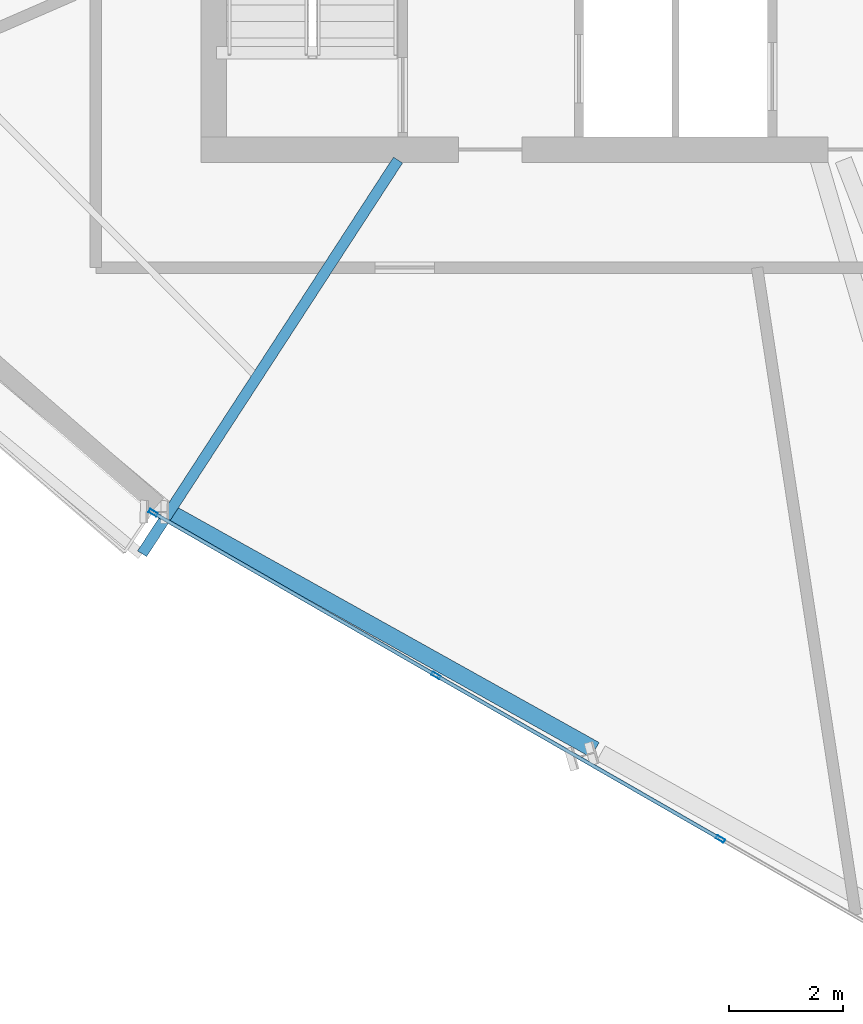
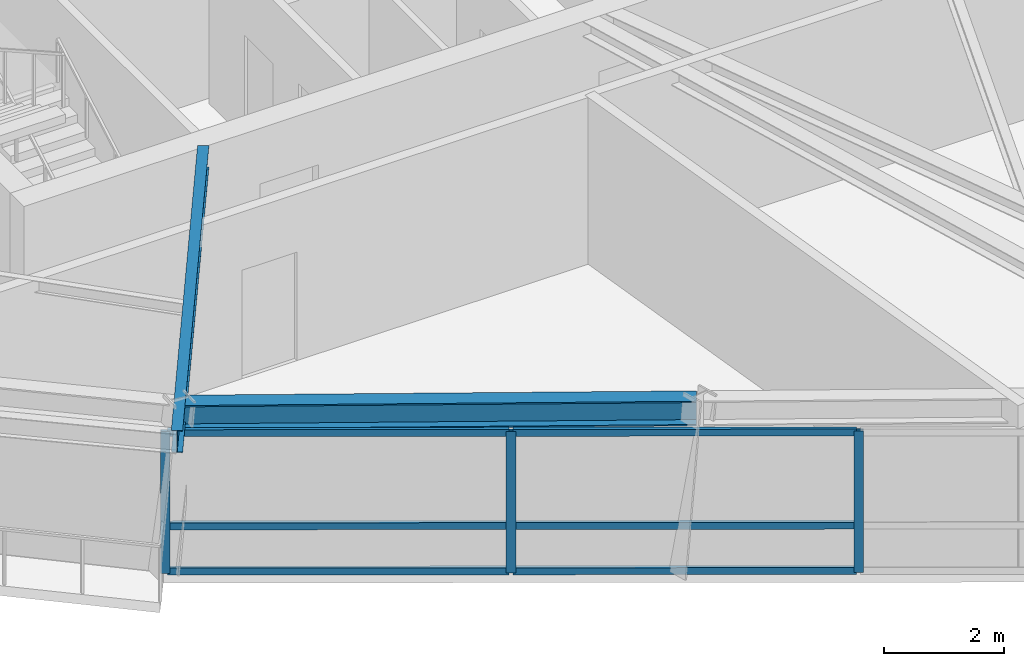
# One storey, part 2 of 13: 9 members, 2 beams, 1 element without a shape of its own.
"""IFC4 building model written with IfcOpenShell, lengths in metres."""

from ifc_helpers import new_model, si_unit, direction, frame, origin, origin_2d, place, context, subcontext, project, spatial, hollow_rectangle, i_section, extrude, source, transform, mapped, material, material_profile, profile_set, type_object, element, aggregate, save


model = new_model("IFC4")

# Units and contexts
model_context = context("Model", 3, precision=1e-05, world=origin(), true_north=direction((0.0, 1.0)))
body_context = subcontext(model_context, "Body", "Model", "MODEL_VIEW")
ifc_project = project(units=[si_unit("LENGTHUNIT", "METRE"), si_unit("AREAUNIT", "SQUARE_METRE"), si_unit("VOLUMEUNIT", "CUBIC_METRE"), si_unit("PLANEANGLEUNIT", "RADIAN"), si_unit("MASSUNIT", "GRAM", prefix="KILO")], contexts=[model_context])

# Site, building, storey
site_placement = place(None, origin())
site = spatial("IfcSite", under=ifc_project, at=site_placement, CompositionType="ELEMENT")
building_placement = place(site_placement, origin())
building = spatial("IfcBuilding", under=site, at=building_placement, Name="Olszyna Solenne Hotel", CompositionType="ELEMENT")
storey_placement = place(building_placement, frame((0.0, 0.0, 263.300048828125)))
storey = spatial("IfcBuildingStorey", under=building, at=storey_placement, Name="L70", CompositionType="ELEMENT", Elevation=263.300048828125)

# Beams
ifc_material_1 = material(Name="Steel S355J2", Category="steel")
ifc_material_profile_1 = material_profile(ifc_material_1, i_section(OverallWidth=0.300048828125, OverallDepth=0.5, WebThickness=0.014404296875, FlangeThickness=0.028076171875, at=origin_2d()), Name="HEB 500", Category="load-bearing")
ifc_profile_set_1 = profile_set([ifc_material_profile_1], Name="Steel S355J2")
beam_type_1 = type_object("IfcBeamType", Name="BM-S3", PredefinedType="BEAM", material=ifc_profile_set_1)
shared_shape_1 = source(origin(), body_context, "Body", "SweptSolid", [
    extrude(i_section(OverallWidth=0.300048828125, OverallDepth=0.5, WebThickness=0.014404296875, FlangeThickness=0.028076171875, at=origin_2d()), origin(), (0.0, 0.0, 1.0), 8.523681640625),
])
beam_1_placement = place(storey_placement, frame((29.13818359375, 12.86767578125, 3.1298828125), z_axis=(0.873265444426, -0.487244767618, 0.0), x_axis=(0.487244767618, 0.873265444426, 0.0)))
element("IfcBeam", 1, at=beam_1_placement, inside=storey, type_object=beam_type_1, Name="Perimeter spandrel beam BM-S3 B-L70-2060", PredefinedType="BEAM", context=body_context, shape_type="MappedRepresentation", body=[
    mapped(shared_shape_1, transform((0.0, 0.0, 0.0), x_axis=(1.0, 0.0, 0.0), y_axis=(0.0, 1.0, 0.0), z_axis=(0.0, 0.0, 1.0), scale=1.0)),
])
ifc_material_profile_2 = material_profile(ifc_material_1, i_section(OverallWidth=0.18994140625, OverallDepth=0.449951171875, WebThickness=0.009521484375, FlangeThickness=0.0146484375, at=origin_2d()), Name="IPE 450", Category="load-bearing")
ifc_profile_set_2 = profile_set([ifc_material_profile_2], Name="Steel S355J2")
beam_type_2 = type_object("IfcBeamType", Name="BM-F4", PredefinedType="BEAM", material=ifc_profile_set_2)
shared_shape_2 = source(origin(), body_context, "Body", "SweptSolid", [
    extrude(i_section(OverallWidth=0.18994140625, OverallDepth=0.449951171875, WebThickness=0.009521484375, FlangeThickness=0.0146484375, at=origin_2d()), origin(), (0.0, 0.0, 1.0), 8.260986328125),
])
beam_2_placement = place(storey_placement, frame((28.61328125, 12.165771484375, 3.155029296875), z_axis=(0.545053792369, 0.838401075515, 0.0), x_axis=(-0.838401075515, 0.545053792369, 0.0)))
element("IfcBeam", 2, at=beam_2_placement, inside=storey, type_object=beam_type_2, Name="Radial floor girder BM-F4 B-L70-2071", PredefinedType="BEAM", context=body_context, shape_type="MappedRepresentation", body=[
    mapped(shared_shape_2, transform((0.0, 0.0, 0.0), x_axis=(1.0, 0.0, 0.0), y_axis=(0.0, 1.0, 0.0), z_axis=(0.0, 0.0, 1.0), scale=1.0)),
])

# Curtain wall, members
ifc_material_2 = material(Name="Anodised bronze aluminium", Category="aluminium")
curtain_wall_type = type_object("IfcCurtainWallType", Name="CW-SYS-4", PredefinedType="NOTDEFINED", material=ifc_material_2)
curtain_wall_placement = place(storey_placement, origin())
curtain_wall = element("IfcCurtainWall", 3, at=curtain_wall_placement, inside=storey, type_object=curtain_wall_type, Name="Unitised curtain wall CW-SYS-4 CW-L70-01", PredefinedType="NOTDEFINED")
ifc_material_profile_3 = material_profile(ifc_material_2, hollow_rectangle(XDim=0.06494140625, YDim=0.159912109375, WallThickness=0.00390625, at=origin_2d()), Name="MULL 160x65x4", Category="load-bearing")
ifc_profile_set_3 = profile_set([ifc_material_profile_3], Name="Anodised bronze aluminium")
member_type_1 = type_object("IfcMemberType", Name="CW-M3", PredefinedType="MULLION", material=ifc_profile_set_3)
shared_shape_3 = source(origin(), body_context, "Body", "SweptSolid", [
    extrude(hollow_rectangle(XDim=0.06494140625, YDim=0.159912109375, WallThickness=0.00390625, at=origin_2d()), origin(), (0.0, 0.0, 1.0), 2.8720703125),
])
member_1_placement = place(storey_placement, frame((28.807861328125, 12.887451171875, 0.0), z_axis=(0.0, 0.0, 1.0), x_axis=(0.498512566759, 0.866882472301, 0.0)))
member_1 = element("IfcMember", 4, at=member_1_placement, type_object=member_type_1, Name="Curtain-wall mullion CW-M3 CM-L70-01-01", PredefinedType="MULLION", context=body_context, shape_type="MappedRepresentation", body=[
    mapped(shared_shape_3, transform((0.0, 0.0, 0.0), x_axis=(1.0, 0.0, 0.0), y_axis=(0.0, 1.0, 0.0), z_axis=(0.0, 0.0, 1.0), scale=1.0)),
])
member_2_placement = place(storey_placement, frame((33.783935546875, 10.02587890625, 0.0), z_axis=(0.0, 0.0, 1.0), x_axis=(0.498512566759, 0.866882472301, 0.0)))
member_2 = element("IfcMember", 5, at=member_2_placement, type_object=member_type_1, Name="Curtain-wall mullion CW-M3 CM-L70-01-02", PredefinedType="MULLION", context=body_context, shape_type="MappedRepresentation", body=[
    mapped(shared_shape_3, transform((0.0, 0.0, 0.0), x_axis=(1.0, 0.0, 0.0), y_axis=(0.0, 1.0, 0.0), z_axis=(0.0, 0.0, 1.0), scale=1.0)),
])
member_3_placement = place(storey_placement, frame((38.7880859375, 7.148193359375, 0.0), z_axis=(0.0, 0.0, 1.0), x_axis=(0.498512566759, 0.866882472301, 0.0)))
member_3 = element("IfcMember", 6, at=member_3_placement, type_object=member_type_1, Name="Curtain-wall mullion CW-M3 CM-L70-01-03", PredefinedType="MULLION", context=body_context, shape_type="MappedRepresentation", body=[
    mapped(shared_shape_3, transform((0.0, 0.0, 0.0), x_axis=(1.0, 0.0, 0.0), y_axis=(0.0, 1.0, 0.0), z_axis=(0.0, 0.0, 1.0), scale=1.0)),
])
ifc_material_profile_4 = material_profile(ifc_material_2, hollow_rectangle(XDim=0.06494140625, YDim=0.139892578125, WallThickness=0.00390625, at=origin_2d()), Name="TRAN 140x65x4", Category="load-bearing")
ifc_profile_set_4 = profile_set([ifc_material_profile_4], Name="Anodised bronze aluminium")
member_type_2 = type_object("IfcMemberType", Name="CW-T2", PredefinedType="USERDEFINED", material=ifc_profile_set_4)
shared_shape_4 = source(origin(), body_context, "Body", "SweptSolid", [
    extrude(hollow_rectangle(XDim=0.06494140625, YDim=0.139892578125, WallThickness=0.00390625, at=origin_2d()), origin(), (0.0, 0.0, 1.0), 5.675048828125),
])
member_4_placement = place(storey_placement, frame((28.836181640625, 12.871337890625, 0.032470703125), z_axis=(0.866884459106, -0.498509111812, 0.0), x_axis=(0.498509111812, 0.866884459106, 0.0)))
member_4 = element("IfcMember", 7, at=member_4_placement, type_object=member_type_2, Name="Curtain-wall transom CW-T2 CT-L70-01-01", ObjectType="TRANSOM", PredefinedType="USERDEFINED", context=body_context, shape_type="MappedRepresentation", body=[
    mapped(shared_shape_4, transform((0.0, 0.0, 0.0), x_axis=(1.0, 0.0, 0.0), y_axis=(0.0, 1.0, 0.0), z_axis=(0.0, 0.0, 1.0), scale=1.0)),
])
member_5_placement = place(storey_placement, frame((28.836181640625, 12.871337890625, 0.949951171875), z_axis=(0.866884459106, -0.498509111812, 0.0), x_axis=(0.498509111812, 0.866884459106, 0.0)))
member_5 = element("IfcMember", 8, at=member_5_placement, type_object=member_type_2, Name="Curtain-wall transom CW-T2 CT-L70-01-02", ObjectType="TRANSOM", PredefinedType="USERDEFINED", context=body_context, shape_type="MappedRepresentation", body=[
    mapped(shared_shape_4, transform((0.0, 0.0, 0.0), x_axis=(1.0, 0.0, 0.0), y_axis=(0.0, 1.0, 0.0), z_axis=(0.0, 0.0, 1.0), scale=1.0)),
])
member_6_placement = place(storey_placement, frame((28.836181640625, 12.871337890625, 2.83935546875), z_axis=(0.866884459106, -0.498509111812, 0.0), x_axis=(0.498509111812, 0.866884459106, 0.0)))
member_6 = element("IfcMember", 9, at=member_6_placement, type_object=member_type_2, Name="Curtain-wall transom CW-T2 CT-L70-01-03", ObjectType="TRANSOM", PredefinedType="USERDEFINED", context=body_context, shape_type="MappedRepresentation", body=[
    mapped(shared_shape_4, transform((0.0, 0.0, 0.0), x_axis=(1.0, 0.0, 0.0), y_axis=(0.0, 1.0, 0.0), z_axis=(0.0, 0.0, 1.0), scale=1.0)),
])
shared_shape_5 = source(origin(), body_context, "Body", "SweptSolid", [
    extrude(hollow_rectangle(XDim=0.06494140625, YDim=0.139892578125, WallThickness=0.00390625, at=origin_2d()), origin(), (0.0, 0.0, 1.0), 5.70751953125),
])
member_7_placement = place(storey_placement, frame((33.812255859375, 10.009765625, 0.032470703125), z_axis=(0.866886893726, -0.498504878096, 0.0), x_axis=(0.498504878096, 0.866886893726, 0.0)))
member_7 = element("IfcMember", 10, at=member_7_placement, type_object=member_type_2, Name="Curtain-wall transom CW-T2 CT-L70-01-04", ObjectType="TRANSOM", PredefinedType="USERDEFINED", context=body_context, shape_type="MappedRepresentation", body=[
    mapped(shared_shape_5, transform((0.0, 0.0, 0.0), x_axis=(1.0, 0.0, 0.0), y_axis=(0.0, 1.0, 0.0), z_axis=(0.0, 0.0, 1.0), scale=1.0)),
])
member_8_placement = place(storey_placement, frame((33.812255859375, 10.009765625, 0.949951171875), z_axis=(0.866886893726, -0.498504878096, 0.0), x_axis=(0.498504878096, 0.866886893726, 0.0)))
member_8 = element("IfcMember", 11, at=member_8_placement, type_object=member_type_2, Name="Curtain-wall transom CW-T2 CT-L70-01-05", ObjectType="TRANSOM", PredefinedType="USERDEFINED", context=body_context, shape_type="MappedRepresentation", body=[
    mapped(shared_shape_5, transform((0.0, 0.0, 0.0), x_axis=(1.0, 0.0, 0.0), y_axis=(0.0, 1.0, 0.0), z_axis=(0.0, 0.0, 1.0), scale=1.0)),
])
member_9_placement = place(storey_placement, frame((33.812255859375, 10.009765625, 2.83935546875), z_axis=(0.866886893726, -0.498504878096, 0.0), x_axis=(0.498504878096, 0.866886893726, 0.0)))
member_9 = element("IfcMember", 12, at=member_9_placement, type_object=member_type_2, Name="Curtain-wall transom CW-T2 CT-L70-01-06", ObjectType="TRANSOM", PredefinedType="USERDEFINED", context=body_context, shape_type="MappedRepresentation", body=[
    mapped(shared_shape_5, transform((0.0, 0.0, 0.0), x_axis=(1.0, 0.0, 0.0), y_axis=(0.0, 1.0, 0.0), z_axis=(0.0, 0.0, 1.0), scale=1.0)),
])
aggregate(curtain_wall, [member_1, member_2, member_3, member_4, member_5, member_6, member_7, member_8, member_9])

save(model, "model.ifc")
